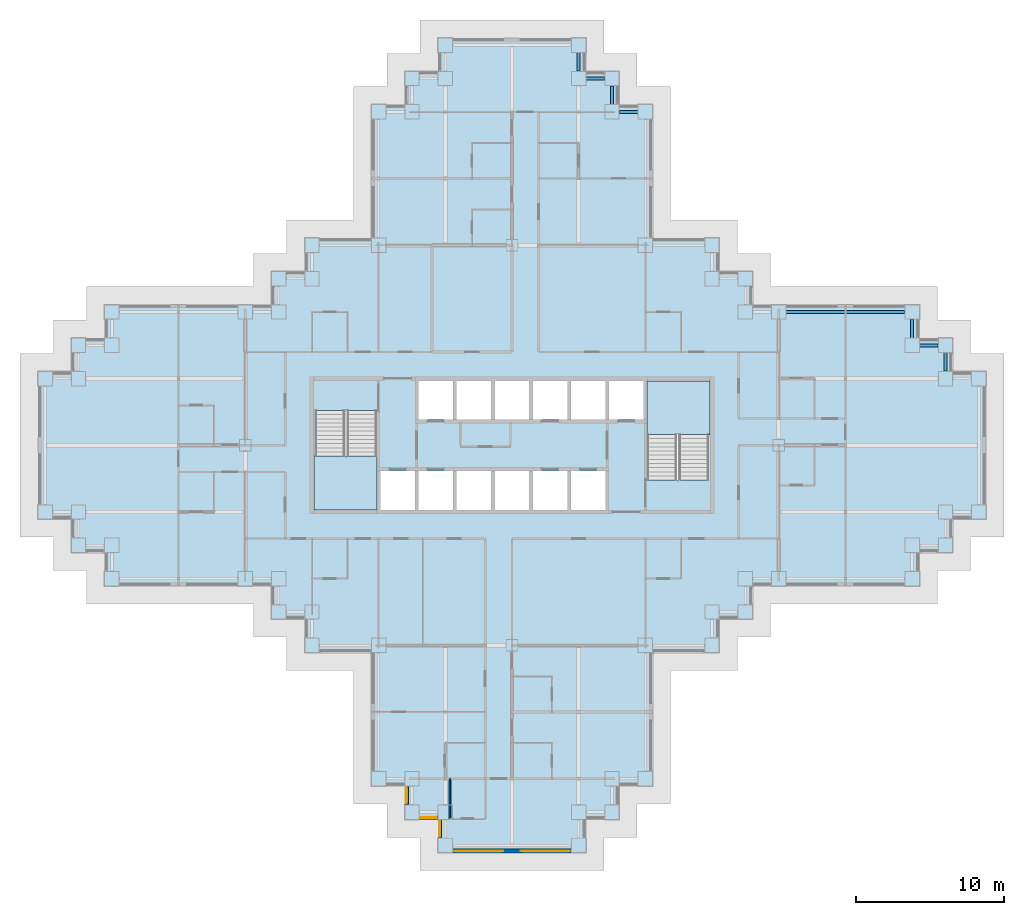
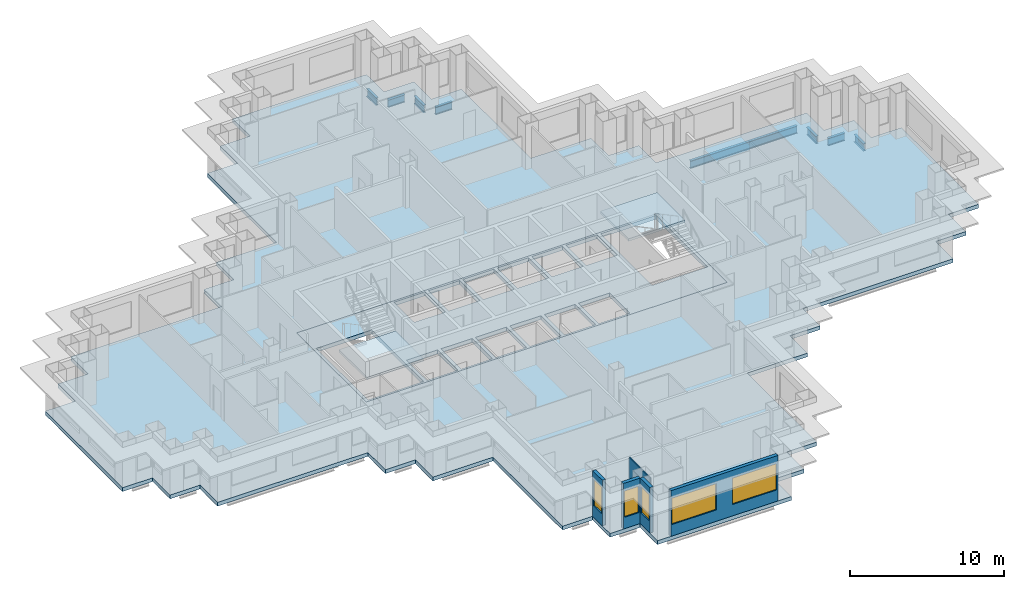
# One storey, part 2 of 14: 8 beams, 5 walls, 5 windows, 4 slabs, 5 openings, 2 elements without a shape of their own.
"""IFC4 building model written with IfcOpenShell, lengths in metres."""

from ifc_helpers import new_model, si_unit, direction, frame, frame_2d, origin, origin_2d, place, context, subcontext, project, spatial, polyline, rectangle, i_section, outline, extrude, material, layer, layer_set, material_profile, profile_set, type_object, element, fill, aggregate, save


model = new_model("IFC4")

# Units and contexts
model_context = context("Model", 3, precision=1e-05, world=origin(), true_north=direction((0.0, 1.0)))
body_context = subcontext(model_context, "Body", "Model", "MODEL_VIEW")
ifc_project = project(units=[si_unit("LENGTHUNIT", "METRE"), si_unit("AREAUNIT", "SQUARE_METRE"), si_unit("VOLUMEUNIT", "CUBIC_METRE"), si_unit("PLANEANGLEUNIT", "RADIAN"), si_unit("MASSUNIT", "GRAM", prefix="KILO")], contexts=[model_context])

# Site, building, storey
site_placement = place(None, origin())
site = spatial("IfcSite", under=ifc_project, at=site_placement, CompositionType="ELEMENT")
building_placement = place(site_placement, origin())
building = spatial("IfcBuilding", under=site, at=building_placement, Name="Caravel Reach Hotel and Residences", CompositionType="ELEMENT")
storey_placement = place(building_placement, frame((0.0, 0.0, 67.199951171875)))
storey = spatial("IfcBuildingStorey", under=building, at=storey_placement, Name="L15", CompositionType="ELEMENT", Elevation=67.199951171875)

# Beams
ifc_material_1 = material(Name="Structural steel Q355B", Category="steel")
ifc_material_profile = material_profile(ifc_material_1, i_section(OverallWidth=0.199951171875, OverallDepth=0.60009765625, WebThickness=0.010986328125, FlangeThickness=0.01708984375, FilletRadius=0.012939453125, at=origin_2d()), Name="HN 600x200x11x17")
ifc_profile_set = profile_set([ifc_material_profile], Name="Structural steel Q355B")
beam_type = type_object("IfcBeamType", Name="Spandrel beam HN 600x200x11x17", PredefinedType="SPANDREL", material=ifc_profile_set)
for number, where, z_axis, x_axis, name in (
    (1, (60.75, 32.0, -0.599853515625), (0.0, 1.0, 0.0), (-1.0, 0.0, 0.0), "SP1 HN 600x200x11x17"),
    (2, (60.25, 33.75, -0.599853515625), (-1.0, 0.0, 0.0), (0.0, -1.0, 0.0), "SP1 HN 600x200x11x17"),
    (3, (58.5, 34.25, -0.599853515625), (0.0, 1.0, 0.0), (-1.0, 0.0, 0.0), "SP1 HN 600x200x11x17"),
):
    element("IfcBeam", number, at=place(storey_placement, frame(where, z_axis=z_axis, x_axis=x_axis)), inside=storey, type_object=beam_type, Name=name, PredefinedType="SPANDREL", context=body_context, shape_type="SweptSolid", body=[
        extrude(i_section(OverallWidth=0.199951171875, OverallDepth=0.60009765625, WebThickness=0.010986328125, FlangeThickness=0.01708984375, FilletRadius=0.012939453125, at=origin_2d()), origin(), (0.0, 0.0, 1.0), 1.25),
    ])
beam_placement = place(storey_placement, frame((58.0, 36.0, -0.599853515625), z_axis=(-1.0, 0.0, 0.0), x_axis=(0.0, -1.0, 0.0)))
element("IfcBeam", 4, at=beam_placement, inside=storey, type_object=beam_type, Name="SP1 HN 600x200x11x17", PredefinedType="SPANDREL", context=body_context, shape_type="SweptSolid", body=[
    extrude(i_section(OverallWidth=0.199951171875, OverallDepth=0.60009765625, WebThickness=0.010986328125, FlangeThickness=0.01708984375, FilletRadius=0.012939453125, at=origin_2d()), origin(), (0.0, 0.0, 1.0), 8.0),
])
for number, where, z_axis, x_axis, name in (
    (5, (40.0, 49.5, -0.599853515625), (-1.0, 0.0, 0.0), (0.0, -1.0, 0.0), "SP1 HN 600x200x11x17"),
    (6, (38.25, 50.0, -0.599853515625), (0.0, 1.0, 0.0), (-1.0, 0.0, 0.0), "SP1 HN 600x200x11x17"),
    (7, (37.75, 51.75, -0.599853515625), (-1.0, 0.0, 0.0), (0.0, -1.0, 0.0), "SP1 HN 600x200x11x17"),
    (8, (36.0, 52.25, -0.599853515625), (0.0, 1.0, 0.0), (-1.0, 0.0, 0.0), "SP1 HN 600x200x11x17"),
):
    element("IfcBeam", number, at=place(storey_placement, frame(where, z_axis=z_axis, x_axis=x_axis)), inside=storey, type_object=beam_type, Name=name, PredefinedType="SPANDREL", context=body_context, shape_type="SweptSolid", body=[
        extrude(i_section(OverallWidth=0.199951171875, OverallDepth=0.60009765625, WebThickness=0.010986328125, FlangeThickness=0.01708984375, FilletRadius=0.012939453125, at=origin_2d()), origin(), (0.0, 0.0, 1.0), 1.25),
    ])

# Slab
ifc_material_2 = material(Name="Concrete C40", Category="concrete")
ifc_layer_1 = layer(ifc_material_2, 0.300048828125)
ifc_layer_set_1 = layer_set([ifc_layer_1], Name="Core floor slab 300 mm")
slab_type_1 = type_object("IfcSlabType", Name="Core floor slab 300 mm", PredefinedType="FLOOR", material=ifc_layer_set_1)
slab_1_placement = place(storey_placement, frame((0.0, 0.0, -0.300048828125)))
element("IfcSlab", 9, at=slab_1_placement, inside=storey, type_object=slab_type_1, Name="L15 core floor", PredefinedType="FLOOR", context=body_context, shape_type="SweptSolid", body=[
    extrude(outline(polyline([(18.0, 31.5), (45.0, 31.5), (45.0, 22.5), (18.0, 22.5), (18.0, 31.5)]), holes=[polyline([(22.625, 25.27490234375), (22.625, 22.64990234375), (24.9462890625, 22.64990234375), (24.9462890625, 25.27490234375), (22.625, 25.27490234375)]), polyline([(27.517822265625, 25.27490234375), (25.1962890625, 25.27490234375), (25.1962890625, 22.64990234375), (27.517822265625, 22.64990234375), (27.517822265625, 25.27490234375)]), polyline([(30.08935546875, 25.27490234375), (27.767822265625, 25.27490234375), (27.767822265625, 22.64990234375), (30.08935546875, 22.64990234375), (30.08935546875, 25.27490234375)]), polyline([(32.66064453125, 25.27490234375), (30.33935546875, 25.27490234375), (30.33935546875, 22.64990234375), (32.66064453125, 22.64990234375), (32.66064453125, 25.27490234375)]), polyline([(18.22509765625, 22.64990234375), (22.375, 22.64990234375), (22.375, 29.35009765625), (18.22509765625, 29.35009765625), (18.22509765625, 22.64990234375)]), polyline([(27.517822265625, 31.35009765625), (25.1962890625, 31.35009765625), (25.1962890625, 28.72509765625), (27.517822265625, 28.72509765625), (27.517822265625, 31.35009765625)]), polyline([(30.08935546875, 31.35009765625), (27.767822265625, 31.35009765625), (27.767822265625, 28.72509765625), (30.08935546875, 28.72509765625), (30.08935546875, 31.35009765625)]), polyline([(32.91064453125, 25.27490234375), (32.91064453125, 22.64990234375), (35.232177734375, 22.64990234375), (35.232177734375, 25.27490234375), (32.91064453125, 25.27490234375)]), polyline([(37.8037109375, 25.27490234375), (35.482177734375, 25.27490234375), (35.482177734375, 22.64990234375), (37.8037109375, 22.64990234375), (37.8037109375, 25.27490234375)]), polyline([(44.77490234375, 31.35009765625), (40.625, 31.35009765625), (40.625, 24.64990234375), (44.77490234375, 24.64990234375), (44.77490234375, 31.35009765625)]), polyline([(32.66064453125, 31.35009765625), (30.33935546875, 31.35009765625), (30.33935546875, 28.72509765625), (32.66064453125, 28.72509765625), (32.66064453125, 31.35009765625)]), polyline([(35.232177734375, 31.35009765625), (32.91064453125, 31.35009765625), (32.91064453125, 28.72509765625), (35.232177734375, 28.72509765625), (35.232177734375, 31.35009765625)]), polyline([(37.8037109375, 31.35009765625), (35.482177734375, 31.35009765625), (35.482177734375, 28.72509765625), (37.8037109375, 28.72509765625), (37.8037109375, 31.35009765625)]), polyline([(40.375, 31.35009765625), (38.0537109375, 31.35009765625), (38.0537109375, 28.72509765625), (40.375, 28.72509765625), (40.375, 31.35009765625)])]), origin(), (0.0, 0.0, 1.0), 0.300048828125),
])

# Stair, slab
ifc_material_3 = material(Name="Concrete C40", Category="concrete")
stair_type = type_object("IfcStairType", Name="Core stair", PredefinedType="HALF_TURN_STAIR", material=ifc_material_3)
stair_1_placement = place(storey_placement, origin())
stair_1 = element("IfcStair", 10, at=stair_1_placement, inside=storey, type_object=stair_type, Name="L15 Exit stair A", PredefinedType="HALF_TURN_STAIR")
ifc_material_4 = material(Name="Concrete C40", Category="concrete")
ifc_layer_2 = layer(ifc_material_4, 0.199951171875)
ifc_layer_set_2 = layer_set([ifc_layer_2], Name="Core stair landing")
slab_type_2 = type_object("IfcSlabType", Name="Core stair landing", PredefinedType="LANDING", material=ifc_layer_set_2)
slab_2_placement = place(storey_placement, frame((0.0, 0.0, 1.60009765625)))
slab_2 = element("IfcSlab", 11, at=slab_2_placement, type_object=slab_type_2, Name="ST-A landing 1", PredefinedType="LANDING", context=body_context, shape_type="SweptSolid", body=[
    extrude(outline(polyline([(18.14990234375, 26.27001953125), (18.14990234375, 22.64990234375), (22.375, 22.64990234375), (22.375, 26.27001953125), (18.14990234375, 26.27001953125)])), origin(), (0.0, 0.0, 1.0), 0.199951171875),
])
aggregate(stair_1, [slab_2])

stair_2_placement = place(storey_placement, origin())
stair_2 = element("IfcStair", 12, at=stair_2_placement, inside=storey, type_object=stair_type, Name="L15 Exit stair B", PredefinedType="HALF_TURN_STAIR")
slab_3_placement = place(storey_placement, frame((0.0, 0.0, 1.60009765625)))
slab_3 = element("IfcSlab", 13, at=slab_3_placement, type_object=slab_type_2, Name="ST-B landing 1", PredefinedType="LANDING", context=body_context, shape_type="SweptSolid", body=[
    extrude(outline(polyline([(44.85009765625, 27.72998046875), (44.85009765625, 31.35009765625), (40.625, 31.35009765625), (40.625, 27.72998046875), (44.85009765625, 27.72998046875)])), origin(), (0.0, 0.0, 1.0), 0.199951171875),
])
aggregate(stair_2, [slab_3])

# Slab
ifc_material_5 = material(Name="Concrete C40 post-tensioned", Category="concrete")
ifc_layer_3 = layer(ifc_material_5, 0.300048828125)
ifc_layer_set_3 = layer_set([ifc_layer_3], Name="Floor slab 300")
slab_type_3 = type_object("IfcSlabType", Name="Floor slab 300", PredefinedType="FLOOR", material=ifc_layer_set_3)
slab_4_placement = place(storey_placement, frame((0.0, 0.0, -0.300048828125)))
element("IfcSlab", 14, at=slab_4_placement, inside=storey, type_object=slab_type_3, Name="S2 slab L15", PredefinedType="FLOOR", context=body_context, shape_type="SweptSolid", body=[
    extrude(outline(polyline([(17.5, 13.0), (17.5, 15.25), (15.25, 15.25), (15.25, 17.5), (4.0, 17.5), (4.0, 19.75), (1.75, 19.75), (1.75, 22.0), (-0.5, 22.0), (-0.5, 32.0), (1.75, 32.0), (1.75, 34.25), (4.0, 34.25), (4.0, 36.5), (15.25, 36.5), (15.25, 38.75), (17.5, 38.75), (17.5, 41.0), (22.0, 41.0), (22.0, 50.0), (24.25, 50.0), (24.25, 52.25), (26.5, 52.25), (26.5, 54.5), (36.5, 54.5), (36.5, 52.25), (38.75, 52.25), (38.75, 50.0), (41.0, 50.0), (41.0, 41.0), (45.5, 41.0), (45.5, 38.75), (47.75, 38.75), (47.75, 36.5), (59.0, 36.5), (59.0, 34.25), (61.25, 34.25), (61.25, 32.0), (63.5, 32.0), (63.5, 22.0), (61.25, 22.0), (61.25, 19.75), (59.0, 19.75), (59.0, 17.5), (47.75, 17.5), (47.75, 15.25), (45.5, 15.25), (45.5, 13.0), (41.0, 13.0), (41.0, 4.0), (38.75, 4.0), (38.75, 1.75), (36.5, 1.75), (36.5, -0.5), (26.5, -0.5), (26.5, 1.75), (24.25, 1.75), (24.25, 4.0), (22.0, 4.0), (22.0, 13.0), (17.5, 13.0)]), holes=[polyline([(45.0, 31.5), (18.0, 31.5), (18.0, 22.5), (45.0, 22.5), (45.0, 31.5)])]), origin(), (0.0, 0.0, 1.0), 0.300048828125),
])

# Wall
ifc_material_6 = material(Name="Gypsum board on steel stud", Category="steel")
ifc_layer_4 = layer(ifc_material_6, 0.10009765625)
ifc_layer_set_4 = layer_set([ifc_layer_4], Name="Bathroom pod wall 100 mm")
wall_type_1 = type_object("IfcWallType", Name="Bathroom pod wall 100 mm", PredefinedType="PARTITIONING", material=ifc_layer_set_4)
wall_1_placement = place(storey_placement, frame((27.300048828125, 1.800048828125, 0.0), z_axis=(0.0, 0.0, 1.0), x_axis=(0.0, 1.0, 0.0)))
element("IfcWall", 15, at=wall_1_placement, inside=storey, type_object=wall_type_1, Name="L15 wall w094", PredefinedType="PARTITIONING", context=body_context, shape_type="SweptSolid", body=[
    extrude(rectangle(XDim=2.699951171875, YDim=0.10009765625, at=frame_2d((1.35009765625, 0.0))), origin(), (0.0, 0.0, 1.0), 3.300048828125),
])

# Wall, opening, window
ifc_material_7 = material(Name="Insulated rainscreen wall, aluminium cladding", Category="aluminium")
ifc_layer_5 = layer(ifc_material_7, 0.25)
ifc_layer_set_5 = layer_set([ifc_layer_5], Name="EW1 Tower rainscreen wall")
wall_type_2 = type_object("IfcWallType", Name="EW1 Tower rainscreen wall", PredefinedType="SOLIDWALL", material=ifc_layer_set_5)
wall_2_placement = place(storey_placement, frame((24.375, 4.0, 0.0), z_axis=(0.0, 0.0, 1.0), x_axis=(0.0, -1.0, 0.0)))
wall_2 = element("IfcWall", 16, at=wall_2_placement, inside=storey, type_object=wall_type_2, Name="External wall L15 W2.1", PredefinedType="SOLIDWALL", context=body_context, shape_type="SweptSolid", body=[
    extrude(rectangle(XDim=1.25, YDim=0.25, at=frame_2d((0.625, 0.0))), origin(), (0.0, 0.0, 1.0), 3.60009765625),
])
opening_1_placement = place(wall_2_placement, frame((0.10009765625, 0.0, 0.89990234375)))
opening_1 = element("IfcOpeningElement", 17, at=opening_1_placement, cuts=wall_2, Name="Opening WN3", PredefinedType="OPENING", context=body_context, shape_type="SweptSolid", body=[
    extrude(rectangle(XDim=1.050048828125, YDim=2.080078125, at=frame_2d((0.52490234375, 1.0400390625))), frame((0.0, 0.135009765625, 0.0), z_axis=(0.0, -1.0, 0.0), x_axis=(1.0, 0.0, 0.0)), (0.0, 0.0, 1.0), 0.27001953125),
])
ifc_material_8 = material(Name="Dark low-e glazing in black aluminium frame", Category="aluminium")
window_type_1 = type_object("IfcWindowType", Name="Hotel suite corner window 1050 x 2080", PartitioningType="SINGLE_PANEL", PredefinedType="WINDOW", material=ifc_material_8)
window_1_placement = place(opening_1_placement, origin())
window_1 = element("IfcWindow", 18, at=window_1_placement, inside=storey, type_object=window_type_1, Name="Window L15 W2.1.1", OverallHeight=2.080078125, OverallWidth=1.050048828125, PartitioningType="SINGLE_PANEL", PredefinedType="WINDOW", context=body_context, shape_type="SweptSolid", body=[
    extrude(rectangle(XDim=1.050048828125, YDim=2.080078125, at=frame_2d((0.52490234375, 1.0400390625))), frame((0.0, 0.030029296875, 0.0), z_axis=(0.0, -1.0, 0.0), x_axis=(1.0, 0.0, 0.0)), (0.0, 0.0, 1.0), 0.06005859375),
])
fill(opening_1, window_1)

wall_3_placement = place(storey_placement, frame((25.25, 1.875, 0.0), z_axis=(0.0, 0.0, 1.0), x_axis=(1.0, 0.0, 0.0)))
wall_3 = element("IfcWall", 19, at=wall_3_placement, inside=storey, type_object=wall_type_2, Name="External wall L15 S3.1", PredefinedType="SOLIDWALL", context=body_context, shape_type="SweptSolid", body=[
    extrude(rectangle(XDim=1.25, YDim=0.25, at=frame_2d((0.625, 0.0))), origin(), (0.0, 0.0, 1.0), 3.60009765625),
])
opening_2_placement = place(wall_3_placement, frame((0.10009765625, 0.0, 0.89990234375)))
opening_2 = element("IfcOpeningElement", 20, at=opening_2_placement, cuts=wall_3, Name="Opening WN3", PredefinedType="OPENING", context=body_context, shape_type="SweptSolid", body=[
    extrude(rectangle(XDim=1.050048828125, YDim=2.080078125, at=frame_2d((0.52490234375, 1.0400390625))), frame((0.0, 0.135009765625, 0.0), z_axis=(0.0, -1.0, 0.0), x_axis=(1.0, 0.0, 0.0)), (0.0, 0.0, 1.0), 0.27001953125),
])
window_2_placement = place(opening_2_placement, origin())
window_2 = element("IfcWindow", 21, at=window_2_placement, inside=storey, type_object=window_type_1, Name="Window L15 S3.1.1", OverallHeight=2.080078125, OverallWidth=1.050048828125, PartitioningType="SINGLE_PANEL", PredefinedType="WINDOW", context=body_context, shape_type="SweptSolid", body=[
    extrude(rectangle(XDim=1.050048828125, YDim=2.080078125, at=frame_2d((0.52490234375, 1.0400390625))), frame((0.0, 0.030029296875, 0.0), z_axis=(0.0, -1.0, 0.0), x_axis=(1.0, 0.0, 0.0)), (0.0, 0.0, 1.0), 0.06005859375),
])
fill(opening_2, window_2)

wall_4_placement = place(storey_placement, frame((26.625, 1.75, 0.0), z_axis=(0.0, 0.0, 1.0), x_axis=(0.0, -1.0, 0.0)))
wall_4 = element("IfcWall", 22, at=wall_4_placement, inside=storey, type_object=wall_type_2, Name="External wall L15 W4.1", PredefinedType="SOLIDWALL", context=body_context, shape_type="SweptSolid", body=[
    extrude(rectangle(XDim=1.25, YDim=0.25, at=frame_2d((0.625, 0.0))), origin(), (0.0, 0.0, 1.0), 3.60009765625),
])
opening_3_placement = place(wall_4_placement, frame((0.10009765625, 0.0, 0.89990234375)))
opening_3 = element("IfcOpeningElement", 23, at=opening_3_placement, cuts=wall_4, Name="Opening WN3", PredefinedType="OPENING", context=body_context, shape_type="SweptSolid", body=[
    extrude(rectangle(XDim=1.050048828125, YDim=2.080078125, at=frame_2d((0.52490234375, 1.0400390625))), frame((0.0, 0.135009765625, 0.0), z_axis=(0.0, -1.0, 0.0), x_axis=(1.0, 0.0, 0.0)), (0.0, 0.0, 1.0), 0.27001953125),
])
window_3_placement = place(opening_3_placement, origin())
window_3 = element("IfcWindow", 24, at=window_3_placement, inside=storey, type_object=window_type_1, Name="Window L15 W4.1.1", OverallHeight=2.080078125, OverallWidth=1.050048828125, PartitioningType="SINGLE_PANEL", PredefinedType="WINDOW", context=body_context, shape_type="SweptSolid", body=[
    extrude(rectangle(XDim=1.050048828125, YDim=2.080078125, at=frame_2d((0.52490234375, 1.0400390625))), frame((0.0, 0.030029296875, 0.0), z_axis=(0.0, -1.0, 0.0), x_axis=(1.0, 0.0, 0.0)), (0.0, 0.0, 1.0), 0.06005859375),
])
fill(opening_3, window_3)

# Wall, openings, windows
wall_5_placement = place(storey_placement, frame((27.5, -0.375, 0.0), z_axis=(0.0, 0.0, 1.0), x_axis=(1.0, 0.0, 0.0)))
wall_5 = element("IfcWall", 25, at=wall_5_placement, inside=storey, type_object=wall_type_2, Name="External wall L15 S5.1", PredefinedType="SOLIDWALL", context=body_context, shape_type="SweptSolid", body=[
    extrude(rectangle(XDim=8.0, YDim=0.25, at=frame_2d((4.0, 0.0))), origin(), (0.0, 0.0, 1.0), 3.60009765625),
])
opening_4_placement = place(wall_5_placement, frame((0.10009765625, 0.0, 0.89990234375)))
opening_4 = element("IfcOpeningElement", 26, at=opening_4_placement, cuts=wall_5, Name="Opening WN4", PredefinedType="OPENING", context=body_context, shape_type="SweptSolid", body=[
    extrude(rectangle(XDim=3.300048828125, YDim=2.080078125, at=frame_2d((1.64990234375, 1.0400390625))), frame((0.0, 0.135009765625, 0.0), z_axis=(0.0, -1.0, 0.0), x_axis=(1.0, 0.0, 0.0)), (0.0, 0.0, 1.0), 0.27001953125),
])
opening_5_placement = place(wall_5_placement, frame((4.60009765625, 0.0, 0.89990234375)))
opening_5 = element("IfcOpeningElement", 27, at=opening_5_placement, cuts=wall_5, Name="Opening WN4", PredefinedType="OPENING", context=body_context, shape_type="SweptSolid", body=[
    extrude(rectangle(XDim=3.300048828125, YDim=2.080078125, at=frame_2d((1.64990234375, 1.0400390625))), frame((0.0, 0.135009765625, 0.0), z_axis=(0.0, -1.0, 0.0), x_axis=(1.0, 0.0, 0.0)), (0.0, 0.0, 1.0), 0.27001953125),
])
ifc_material_9 = material(Name="Dark low-e glazing in black aluminium frame", Category="aluminium")
window_type_2 = type_object("IfcWindowType", Name="Hotel guest room window 3300 x 2080", PartitioningType="SINGLE_PANEL", PredefinedType="WINDOW", material=ifc_material_9)
window_4_placement = place(opening_4_placement, origin())
window_4 = element("IfcWindow", 28, at=window_4_placement, inside=storey, type_object=window_type_2, Name="Window L15 S5.1.1", OverallHeight=2.080078125, OverallWidth=3.300048828125, PartitioningType="SINGLE_PANEL", PredefinedType="WINDOW", context=body_context, shape_type="SweptSolid", body=[
    extrude(rectangle(XDim=3.300048828125, YDim=2.080078125, at=frame_2d((1.64990234375, 1.0400390625))), frame((0.0, 0.030029296875, 0.0), z_axis=(0.0, -1.0, 0.0), x_axis=(1.0, 0.0, 0.0)), (0.0, 0.0, 1.0), 0.06005859375),
])
fill(opening_4, window_4)
window_5_placement = place(opening_5_placement, origin())
window_5 = element("IfcWindow", 29, at=window_5_placement, inside=storey, type_object=window_type_2, Name="Window L15 S5.1.2", OverallHeight=2.080078125, OverallWidth=3.300048828125, PartitioningType="SINGLE_PANEL", PredefinedType="WINDOW", context=body_context, shape_type="SweptSolid", body=[
    extrude(rectangle(XDim=3.300048828125, YDim=2.080078125, at=frame_2d((1.64990234375, 1.0400390625))), frame((0.0, 0.030029296875, 0.0), z_axis=(0.0, -1.0, 0.0), x_axis=(1.0, 0.0, 0.0)), (0.0, 0.0, 1.0), 0.06005859375),
])
fill(opening_5, window_5)

save(model, "model.ifc")
